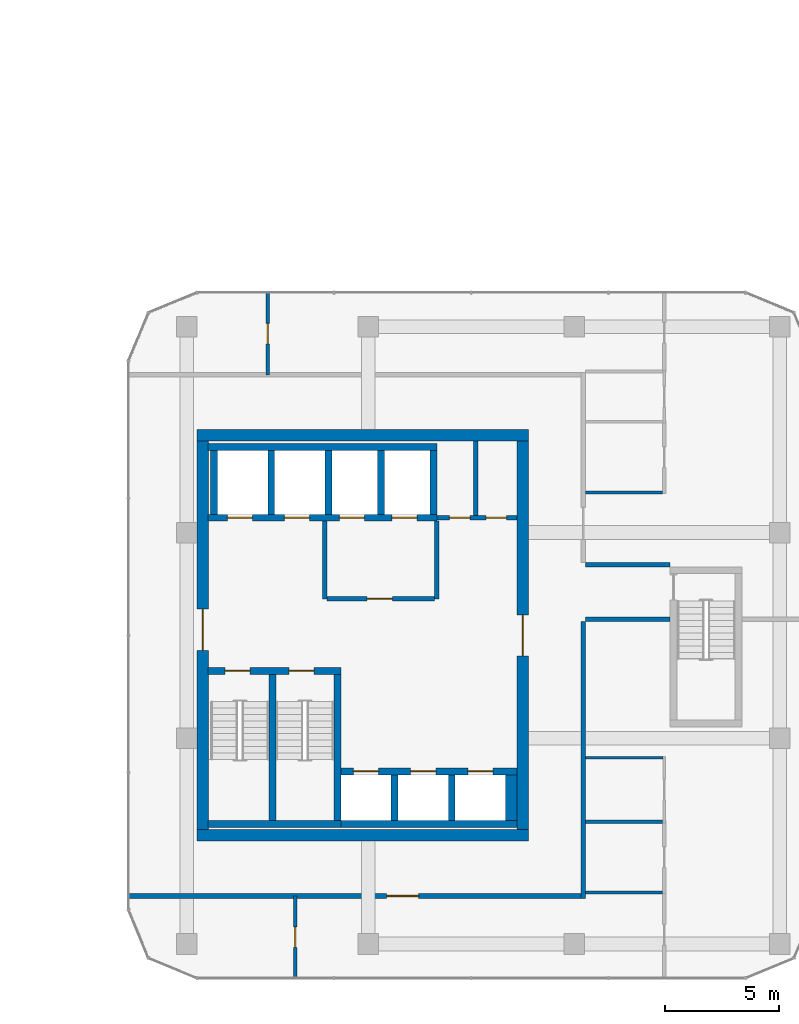
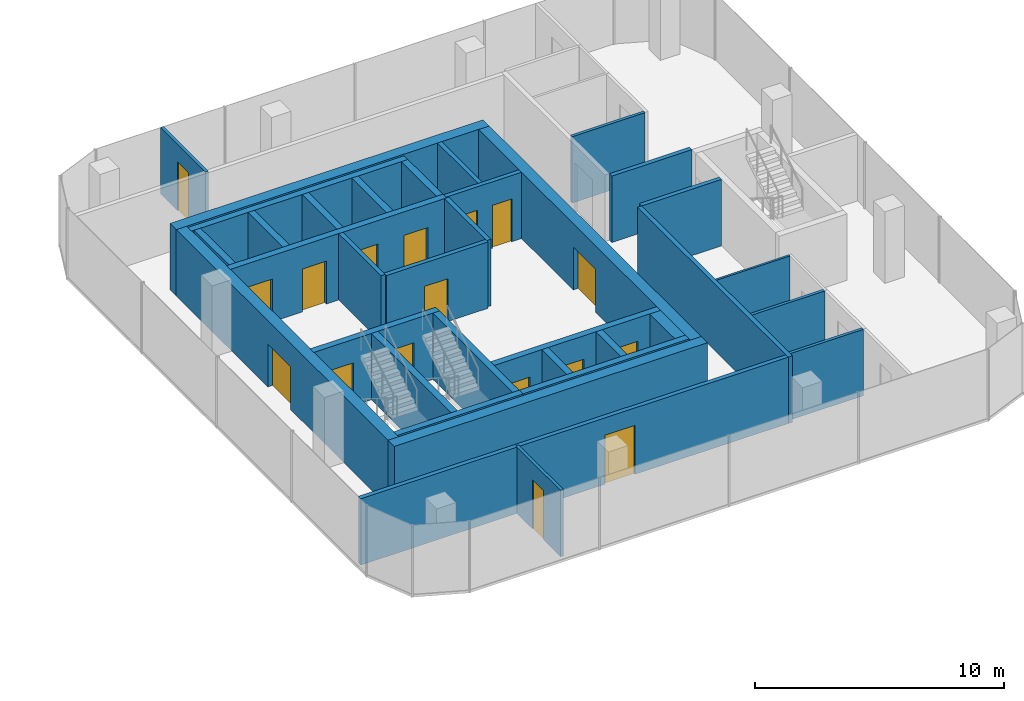
# One storey, part 17 of 22: 35 walls, 17 doors, 17 openings.
"""IFC4 building model written with IfcOpenShell, lengths in metres."""

from ifc_helpers import new_model, si_unit, direction, frame, frame_2d, origin, place, context, subcontext, project, spatial, rectangle, extrude, material, layer, layer_set, type_object, element, fill, save


model = new_model("IFC4")

# Units and contexts
model_context = context("Model", 3, precision=1e-05, world=origin(), true_north=direction((0.0, 1.0)))
body_context = subcontext(model_context, "Body", "Model", "MODEL_VIEW")
ifc_project = project(units=[si_unit("LENGTHUNIT", "METRE"), si_unit("AREAUNIT", "SQUARE_METRE"), si_unit("VOLUMEUNIT", "CUBIC_METRE"), si_unit("PLANEANGLEUNIT", "RADIAN"), si_unit("MASSUNIT", "GRAM", prefix="KILO")], contexts=[model_context])

# Site, building, storey
site_placement = place(None, origin())
site = spatial("IfcSite", under=ifc_project, at=site_placement, CompositionType="ELEMENT")
building_placement = place(site_placement, origin())
building = spatial("IfcBuilding", under=site, at=building_placement, Name="Plateau Cross Towers", CompositionType="ELEMENT")
storey_placement = place(building_placement, frame((0.0, 0.0, 54.800048828125)))
storey = spatial("IfcBuildingStorey", under=building, at=storey_placement, Name="L13", CompositionType="ELEMENT", Elevation=54.800048828125)

# Wall
ifc_material_1 = material(Name="Concrete block, plastered both sides", Category="concrete")
ifc_layer_1 = layer(ifc_material_1, 0.199951171875)
ifc_layer_set_1 = layer_set([ifc_layer_1], Name="Concrete block, plastered both sides")
wall_type_1 = type_object("IfcWallType", Name="Core partition 200", PredefinedType="PARTITIONING", material=ifc_layer_set_1)
wall_1_placement = place(storey_placement, frame((80.60009765625, 10.60009765625, 0.0), z_axis=(0.0, 0.0, 1.0), x_axis=(0.0, 1.0, 0.0)))
element("IfcWall", 1, at=wall_1_placement, inside=storey, type_object=wall_type_1, Name="Core partition", PredefinedType="PARTITIONING", context=body_context, shape_type="SweptSolid", body=[
    extrude(rectangle(XDim=3.39990234375, YDim=0.199951171875, at=frame_2d((1.699951171875, 0.0))), origin(), (0.0, 0.0, 1.0), 3.25),
])

# Wall, opening, door
wall_2_placement = place(storey_placement, frame((80.699951171875, 10.60009765625, 0.0), z_axis=(0.0, 0.0, 1.0), x_axis=(1.0, 0.0, 0.0)))
wall_2 = element("IfcWall", 2, at=wall_2_placement, inside=storey, type_object=wall_type_1, Name="Core partition", PredefinedType="PARTITIONING", context=body_context, shape_type="SweptSolid", body=[
    extrude(rectangle(XDim=4.699951171875, YDim=0.199951171875, at=frame_2d((2.35009765625, 0.0))), origin(), (0.0, 0.0, 1.0), 3.25),
])
opening_1_placement = place(wall_2_placement, frame((1.75, 0.0, 0.0)))
opening_1 = element("IfcOpeningElement", 3, at=opening_1_placement, cuts=wall_2, Name="Opening FFD", PredefinedType="OPENING", context=body_context, shape_type="SweptSolid", body=[
    extrude(rectangle(XDim=1.10009765625, YDim=2.10009765625, at=frame_2d((0.550048828125, 1.050048828125))), frame((0.0, 0.10986328125, 0.0), z_axis=(0.0, -1.0, 0.0), x_axis=(1.0, 0.0, 0.0)), (0.0, 0.0, 1.0), 0.219970703125),
])
ifc_material_2 = material(Name="Steel, fire-resisting leaf", Category="steel")
door_type_1 = type_object("IfcDoorType", Name="Firefighting lobby door 1100", OperationType="NOTDEFINED", PredefinedType="DOOR", material=ifc_material_2)
door_1_placement = place(opening_1_placement, origin())
door_1 = element("IfcDoor", 4, at=door_1_placement, inside=storey, type_object=door_type_1, Name="Firefighting lobby door FFD", OperationType="SINGLE_SWING_LEFT", OverallHeight=2.10009765625, OverallWidth=1.10009765625, PredefinedType="DOOR", context=body_context, shape_type="SweptSolid", body=[
    extrude(rectangle(XDim=1.10009765625, YDim=2.10009765625, at=frame_2d((0.550048828125, 1.050048828125))), frame((0.0, 0.02490234375, 0.0), z_axis=(0.0, -1.0, 0.0), x_axis=(1.0, 0.0, 0.0)), (0.0, 0.0, 1.0), 0.050048828125),
])
fill(opening_1, door_1)

# Wall
wall_3_placement = place(storey_placement, frame((85.5, 10.60009765625, 0.0), z_axis=(0.0, 0.0, 1.0), x_axis=(0.0, 1.0, 0.0)))
element("IfcWall", 5, at=wall_3_placement, inside=storey, type_object=wall_type_1, Name="Core partition", PredefinedType="PARTITIONING", context=body_context, shape_type="SweptSolid", body=[
    extrude(rectangle(XDim=3.39990234375, YDim=0.199951171875, at=frame_2d((1.699951171875, 0.0))), origin(), (0.0, 0.0, 1.0), 3.25),
])

# Wall, openings, doors
wall_4_placement = place(storey_placement, frame((85.5, 14.14990234375, 0.0), z_axis=(0.0, 0.0, 1.0), x_axis=(1.0, 0.0, 0.0)))
wall_4 = element("IfcWall", 6, at=wall_4_placement, inside=storey, type_object=wall_type_1, Name="Core partition", PredefinedType="PARTITIONING", context=body_context, shape_type="SweptSolid", body=[
    extrude(rectangle(XDim=3.5, YDim=0.199951171875, at=frame_2d((1.75, 0.0))), origin(), (0.0, 0.0, 1.0), 3.25),
])
opening_2_placement = place(wall_4_placement, frame((0.550048828125, 0.0, 0.0)))
opening_2 = element("IfcOpeningElement", 7, at=opening_2_placement, cuts=wall_4, Name="Opening RD2", PredefinedType="OPENING", context=body_context, shape_type="SweptSolid", body=[
    extrude(rectangle(XDim=0.89990234375, YDim=2.10009765625, at=frame_2d((0.449951171875, 1.050048828125))), frame((0.0, 0.10986328125, 0.0), z_axis=(0.0, -1.0, 0.0), x_axis=(1.0, 0.0, 0.0)), (0.0, 0.0, 1.0), 0.219970703125),
])
opening_3_placement = place(wall_4_placement, frame((2.14990234375, 0.0, 0.0)))
opening_3 = element("IfcOpeningElement", 8, at=opening_3_placement, cuts=wall_4, Name="Opening RD2", PredefinedType="OPENING", context=body_context, shape_type="SweptSolid", body=[
    extrude(rectangle(XDim=0.89990234375, YDim=2.10009765625, at=frame_2d((0.449951171875, 1.050048828125))), frame((0.0, 0.10986328125, 0.0), z_axis=(0.0, -1.0, 0.0), x_axis=(1.0, 0.0, 0.0)), (0.0, 0.0, 1.0), 0.219970703125),
])
door_type_2 = type_object("IfcDoorType", Name="Core riser door 900", OperationType="NOTDEFINED", PredefinedType="DOOR", material=ifc_material_2)
door_2_placement = place(opening_2_placement, origin())
door_2 = element("IfcDoor", 9, at=door_2_placement, inside=storey, type_object=door_type_2, Name="Core riser door RD2", OperationType="SINGLE_SWING_LEFT", OverallHeight=2.10009765625, OverallWidth=0.89990234375, PredefinedType="DOOR", context=body_context, shape_type="SweptSolid", body=[
    extrude(rectangle(XDim=0.89990234375, YDim=2.10009765625, at=frame_2d((0.449951171875, 1.050048828125))), frame((0.0, 0.02490234375, 0.0), z_axis=(0.0, -1.0, 0.0), x_axis=(1.0, 0.0, 0.0)), (0.0, 0.0, 1.0), 0.050048828125),
])
fill(opening_2, door_2)
door_3_placement = place(opening_3_placement, origin())
door_3 = element("IfcDoor", 10, at=door_3_placement, inside=storey, type_object=door_type_2, Name="Core riser door RD2", OperationType="SINGLE_SWING_LEFT", OverallHeight=2.10009765625, OverallWidth=0.89990234375, PredefinedType="DOOR", context=body_context, shape_type="SweptSolid", body=[
    extrude(rectangle(XDim=0.89990234375, YDim=2.10009765625, at=frame_2d((0.449951171875, 1.050048828125))), frame((0.0, 0.02490234375, 0.0), z_axis=(0.0, -1.0, 0.0), x_axis=(1.0, 0.0, 0.0)), (0.0, 0.0, 1.0), 0.050048828125),
])
fill(opening_3, door_3)

# Walls
wall_5_placement = place(storey_placement, frame((87.199951171875, 14.25, 0.0), z_axis=(0.0, 0.0, 1.0), x_axis=(0.0, 1.0, 0.0)))
element("IfcWall", 11, at=wall_5_placement, inside=storey, type_object=wall_type_1, Name="Core partition", PredefinedType="PARTITIONING", context=body_context, shape_type="SweptSolid", body=[
    extrude(rectangle(XDim=3.25, YDim=0.199951171875, at=frame_2d((1.625, 0.0))), origin(), (0.0, 0.0, 1.0), 3.25),
])
ifc_material_3 = material(Name="Concrete C60/75", Category="concrete")
ifc_layer_2 = layer(ifc_material_3, 0.300048828125)
ifc_layer_set_2 = layer_set([ifc_layer_2], Name="Concrete C60/75")
wall_type_2 = type_object("IfcWallType", Name="Core shaft wall 300", PredefinedType="SHEAR", material=ifc_layer_set_2)
wall_6_placement = place(storey_placement, frame((75.47998046875, 0.75, 0.0), z_axis=(0.0, 0.0, 1.0), x_axis=(1.0, 0.0, 0.0)))
element("IfcWall", 12, at=wall_6_placement, inside=storey, type_object=wall_type_2, Name="B-sb-stS@L13", PredefinedType="SHEAR", context=body_context, shape_type="SweptSolid", body=[
    extrude(rectangle(XDim=5.820068359375, YDim=0.300048828125, at=frame_2d((2.91015625, 0.0))), origin(), (0.0, 0.0, 1.0), 3.25),
])

# Wall, openings, doors
wall_7_placement = place(storey_placement, frame((75.47998046875, 7.449951171875, 0.0), z_axis=(0.0, 0.0, 1.0), x_axis=(1.0, 0.0, 0.0)))
wall_7 = element("IfcWall", 13, at=wall_7_placement, inside=storey, type_object=wall_type_2, Name="B-sb-stN@L13", PredefinedType="SHEAR", context=body_context, shape_type="SweptSolid", body=[
    extrude(rectangle(XDim=5.820068359375, YDim=0.300048828125, at=frame_2d((2.91015625, 0.0))), origin(), (0.0, 0.0, 1.0), 3.25),
])
opening_4_placement = place(wall_7_placement, frame((0.75, 0.0, 0.0)))
opening_4 = element("IfcOpeningElement", 14, at=opening_4_placement, cuts=wall_7, Name="Opening SD", PredefinedType="OPENING", context=body_context, shape_type="SweptSolid", body=[
    extrude(rectangle(XDim=1.10009765625, YDim=2.10009765625, at=frame_2d((0.550048828125, 1.050048828125))), frame((0.0, 0.159912109375, 0.0), z_axis=(0.0, -1.0, 0.0), x_axis=(1.0, 0.0, 0.0)), (0.0, 0.0, 1.0), 0.320068359375),
])
opening_5_placement = place(wall_7_placement, frame((3.550048828125, 0.0, 0.0)))
opening_5 = element("IfcOpeningElement", 15, at=opening_5_placement, cuts=wall_7, Name="Opening SD", PredefinedType="OPENING", context=body_context, shape_type="SweptSolid", body=[
    extrude(rectangle(XDim=1.10009765625, YDim=2.10009765625, at=frame_2d((0.550048828125, 1.050048828125))), frame((0.0, 0.159912109375, 0.0), z_axis=(0.0, -1.0, 0.0), x_axis=(1.0, 0.0, 0.0)), (0.0, 0.0, 1.0), 0.320068359375),
])
door_type_3 = type_object("IfcDoorType", Name="Stair door 1100", OperationType="NOTDEFINED", PredefinedType="DOOR", material=ifc_material_2)
door_4_placement = place(opening_4_placement, origin())
door_4 = element("IfcDoor", 16, at=door_4_placement, inside=storey, type_object=door_type_3, Name="Stair door SD", OperationType="SINGLE_SWING_RIGHT", OverallHeight=2.10009765625, OverallWidth=1.10009765625, PredefinedType="DOOR", context=body_context, shape_type="SweptSolid", body=[
    extrude(rectangle(XDim=1.10009765625, YDim=2.10009765625, at=frame_2d((0.550048828125, 1.050048828125))), frame((0.0, 0.02490234375, 0.0), z_axis=(0.0, -1.0, 0.0), x_axis=(1.0, 0.0, 0.0)), (0.0, 0.0, 1.0), 0.050048828125),
])
fill(opening_4, door_4)
door_5_placement = place(opening_5_placement, origin())
door_5 = element("IfcDoor", 17, at=door_5_placement, inside=storey, type_object=door_type_3, Name="Stair door SD", OperationType="SINGLE_SWING_LEFT", OverallHeight=2.10009765625, OverallWidth=1.10009765625, PredefinedType="DOOR", context=body_context, shape_type="SweptSolid", body=[
    extrude(rectangle(XDim=1.10009765625, YDim=2.10009765625, at=frame_2d((0.550048828125, 1.050048828125))), frame((0.0, 0.02490234375, 0.0), z_axis=(0.0, -1.0, 0.0), x_axis=(1.0, 0.0, 0.0)), (0.0, 0.0, 1.0), 0.050048828125),
])
fill(opening_5, door_5)

# Walls
for number, where, z_axis, x_axis, name in (
    (18, (78.300048828125, 0.89990234375, 0.0), (0.0, 0.0, 1.0), (0.0, 1.0, 0.0), "B-sb-st1@L13"),
    (19, (81.14990234375, 0.89990234375, 0.0), (0.0, 0.0, 1.0), (0.0, 1.0, 0.0), "B-sb-st2@L13"),
):
    element("IfcWall", number, at=place(storey_placement, frame(where, z_axis=z_axis, x_axis=x_axis)), inside=storey, type_object=wall_type_2, Name=name, PredefinedType="SHEAR", context=body_context, shape_type="SweptSolid", body=[
        extrude(rectangle(XDim=6.400146484375, YDim=0.300048828125, at=frame_2d((3.2001953125, 0.0))), origin(), (0.0, 0.0, 1.0), 3.25),
    ])
wall_8_placement = place(storey_placement, frame((81.300048828125, 0.75, 0.0), z_axis=(0.0, 0.0, 1.0), x_axis=(1.0, 0.0, 0.0)))
element("IfcWall", 20, at=wall_8_placement, inside=storey, type_object=wall_type_2, Name="B-sb-back@L13", PredefinedType="SHEAR", context=body_context, shape_type="SweptSolid", body=[
    extrude(rectangle(XDim=7.699951171875, YDim=0.300048828125, at=frame_2d((3.85009765625, 0.0))), origin(), (0.0, 0.0, 1.0), 3.25),
])
for number, where, z_axis, x_axis, name in (
    (21, (83.64990234375, 0.89990234375, 0.0), (0.0, 0.0, 1.0), (0.0, 1.0, 0.0), "B-sb-v1@L13"),
    (22, (86.14990234375, 0.89990234375, 0.0), (0.0, 0.0, 1.0), (0.0, 1.0, 0.0), "B-sb-v2@L13"),
):
    element("IfcWall", number, at=place(storey_placement, frame(where, z_axis=z_axis, x_axis=x_axis)), inside=storey, type_object=wall_type_2, Name=name, PredefinedType="SHEAR", context=body_context, shape_type="SweptSolid", body=[
        extrude(rectangle(XDim=2.0, YDim=0.300048828125, at=frame_2d((1.0, 0.0))), origin(), (0.0, 0.0, 1.0), 3.25),
    ])

# Wall, openings, doors
wall_9_placement = place(storey_placement, frame((81.300048828125, 3.050048828125, 0.0), z_axis=(0.0, 0.0, 1.0), x_axis=(1.0, 0.0, 0.0)))
wall_9 = element("IfcWall", 23, at=wall_9_placement, inside=storey, type_object=wall_type_2, Name="B-sb-front@L13", PredefinedType="SHEAR", context=body_context, shape_type="SweptSolid", body=[
    extrude(rectangle(XDim=7.699951171875, YDim=0.300048828125, at=frame_2d((3.85009765625, 0.0))), origin(), (0.0, 0.0, 1.0), 3.25),
])
opening_6_placement = place(wall_9_placement, frame((0.550048828125, 0.0, 0.0)))
opening_6 = element("IfcOpeningElement", 24, at=opening_6_placement, cuts=wall_9, Name="Opening LD", PredefinedType="OPENING", context=body_context, shape_type="SweptSolid", body=[
    extrude(rectangle(XDim=1.10009765625, YDim=2.10009765625, at=frame_2d((0.550048828125, 1.050048828125))), frame((0.0, 0.159912109375, 0.0), z_axis=(0.0, -1.0, 0.0), x_axis=(1.0, 0.0, 0.0)), (0.0, 0.0, 1.0), 0.320068359375),
])
opening_7_placement = place(wall_9_placement, frame((3.050048828125, 0.0, 0.0)))
opening_7 = element("IfcOpeningElement", 25, at=opening_7_placement, cuts=wall_9, Name="Opening LD", PredefinedType="OPENING", context=body_context, shape_type="SweptSolid", body=[
    extrude(rectangle(XDim=1.10009765625, YDim=2.10009765625, at=frame_2d((0.550048828125, 1.050048828125))), frame((0.0, 0.159912109375, 0.0), z_axis=(0.0, -1.0, 0.0), x_axis=(1.0, 0.0, 0.0)), (0.0, 0.0, 1.0), 0.320068359375),
])
opening_8_placement = place(wall_9_placement, frame((5.550048828125, 0.0, 0.0)))
opening_8 = element("IfcOpeningElement", 26, at=opening_8_placement, cuts=wall_9, Name="Opening LD", PredefinedType="OPENING", context=body_context, shape_type="SweptSolid", body=[
    extrude(rectangle(XDim=1.10009765625, YDim=2.10009765625, at=frame_2d((0.550048828125, 1.050048828125))), frame((0.0, 0.159912109375, 0.0), z_axis=(0.0, -1.0, 0.0), x_axis=(1.0, 0.0, 0.0)), (0.0, 0.0, 1.0), 0.320068359375),
])
ifc_material_4 = material(Name="Stainless steel, fire-resisting sliding leaves", Category="steel")
door_type_4 = type_object("IfcDoorType", Name="Lift landing door 1100", OperationType="NOTDEFINED", PredefinedType="DOOR", material=ifc_material_4)
door_6_placement = place(opening_6_placement, origin())
door_6 = element("IfcDoor", 27, at=door_6_placement, inside=storey, type_object=door_type_4, Name="Lift landing door LD", OperationType="DOUBLE_DOOR_SLIDING", OverallHeight=2.10009765625, OverallWidth=1.10009765625, PredefinedType="DOOR", context=body_context, shape_type="SweptSolid", body=[
    extrude(rectangle(XDim=1.10009765625, YDim=2.10009765625, at=frame_2d((0.550048828125, 1.050048828125))), frame((0.0, 0.02490234375, 0.0), z_axis=(0.0, -1.0, 0.0), x_axis=(1.0, 0.0, 0.0)), (0.0, 0.0, 1.0), 0.050048828125),
])
fill(opening_6, door_6)
door_7_placement = place(opening_7_placement, origin())
door_7 = element("IfcDoor", 28, at=door_7_placement, inside=storey, type_object=door_type_4, Name="Lift landing door LD", OperationType="DOUBLE_DOOR_SLIDING", OverallHeight=2.10009765625, OverallWidth=1.10009765625, PredefinedType="DOOR", context=body_context, shape_type="SweptSolid", body=[
    extrude(rectangle(XDim=1.10009765625, YDim=2.10009765625, at=frame_2d((0.550048828125, 1.050048828125))), frame((0.0, 0.02490234375, 0.0), z_axis=(0.0, -1.0, 0.0), x_axis=(1.0, 0.0, 0.0)), (0.0, 0.0, 1.0), 0.050048828125),
])
fill(opening_7, door_7)
door_8_placement = place(opening_8_placement, origin())
door_8 = element("IfcDoor", 29, at=door_8_placement, inside=storey, type_object=door_type_4, Name="Lift landing door LD", OperationType="DOUBLE_DOOR_SLIDING", OverallHeight=2.10009765625, OverallWidth=1.10009765625, PredefinedType="DOOR", context=body_context, shape_type="SweptSolid", body=[
    extrude(rectangle(XDim=1.10009765625, YDim=2.10009765625, at=frame_2d((0.550048828125, 1.050048828125))), frame((0.0, 0.02490234375, 0.0), z_axis=(0.0, -1.0, 0.0), x_axis=(1.0, 0.0, 0.0)), (0.0, 0.0, 1.0), 0.050048828125),
])
fill(opening_8, door_8)

# Wall
wall_10_placement = place(storey_placement, frame((75.47998046875, 17.25, 0.0), z_axis=(0.0, 0.0, 1.0), x_axis=(1.0, 0.0, 0.0)))
element("IfcWall", 30, at=wall_10_placement, inside=storey, type_object=wall_type_2, Name="B-nb-back@L13", PredefinedType="SHEAR", context=body_context, shape_type="SweptSolid", body=[
    extrude(rectangle(XDim=10.02001953125, YDim=0.300048828125, at=frame_2d((5.010009765625, 0.0))), origin(), (0.0, 0.0, 1.0), 3.25),
])

# Wall, openings, doors
wall_11_placement = place(storey_placement, frame((75.47998046875, 14.14990234375, 0.0), z_axis=(0.0, 0.0, 1.0), x_axis=(1.0, 0.0, 0.0)))
wall_11 = element("IfcWall", 31, at=wall_11_placement, inside=storey, type_object=wall_type_2, Name="B-nb-front@L13", PredefinedType="SHEAR", context=body_context, shape_type="SweptSolid", body=[
    extrude(rectangle(XDim=10.02001953125, YDim=0.300048828125, at=frame_2d((5.010009765625, 0.0))), origin(), (0.0, 0.0, 1.0), 3.25),
])
opening_9_placement = place(wall_11_placement, frame((0.85009765625, 0.0, 0.0)))
opening_9 = element("IfcOpeningElement", 32, at=opening_9_placement, cuts=wall_11, Name="Opening LD", PredefinedType="OPENING", context=body_context, shape_type="SweptSolid", body=[
    extrude(rectangle(XDim=1.10009765625, YDim=2.10009765625, at=frame_2d((0.550048828125, 1.050048828125))), frame((0.0, 0.159912109375, 0.0), z_axis=(0.0, -1.0, 0.0), x_axis=(1.0, 0.0, 0.0)), (0.0, 0.0, 1.0), 0.320068359375),
])
opening_10_placement = place(wall_11_placement, frame((3.35009765625, 0.0, 0.0)))
opening_10 = element("IfcOpeningElement", 33, at=opening_10_placement, cuts=wall_11, Name="Opening LD", PredefinedType="OPENING", context=body_context, shape_type="SweptSolid", body=[
    extrude(rectangle(XDim=1.10009765625, YDim=2.10009765625, at=frame_2d((0.550048828125, 1.050048828125))), frame((0.0, 0.159912109375, 0.0), z_axis=(0.0, -1.0, 0.0), x_axis=(1.0, 0.0, 0.0)), (0.0, 0.0, 1.0), 0.320068359375),
])
opening_11_placement = place(wall_11_placement, frame((5.75, 0.0, 0.0)))
opening_11 = element("IfcOpeningElement", 34, at=opening_11_placement, cuts=wall_11, Name="Opening LD", PredefinedType="OPENING", context=body_context, shape_type="SweptSolid", body=[
    extrude(rectangle(XDim=1.10009765625, YDim=2.10009765625, at=frame_2d((0.550048828125, 1.050048828125))), frame((0.0, 0.159912109375, 0.0), z_axis=(0.0, -1.0, 0.0), x_axis=(1.0, 0.0, 0.0)), (0.0, 0.0, 1.0), 0.320068359375),
])
opening_12_placement = place(wall_11_placement, frame((8.050048828125, 0.0, 0.0)))
opening_12 = element("IfcOpeningElement", 35, at=opening_12_placement, cuts=wall_11, Name="Opening LD", PredefinedType="OPENING", context=body_context, shape_type="SweptSolid", body=[
    extrude(rectangle(XDim=1.10009765625, YDim=2.10009765625, at=frame_2d((0.550048828125, 1.050048828125))), frame((0.0, 0.159912109375, 0.0), z_axis=(0.0, -1.0, 0.0), x_axis=(1.0, 0.0, 0.0)), (0.0, 0.0, 1.0), 0.320068359375),
])
door_9_placement = place(opening_9_placement, origin())
door_9 = element("IfcDoor", 36, at=door_9_placement, inside=storey, type_object=door_type_4, Name="Lift landing door LD", OperationType="DOUBLE_DOOR_SLIDING", OverallHeight=2.10009765625, OverallWidth=1.10009765625, PredefinedType="DOOR", context=body_context, shape_type="SweptSolid", body=[
    extrude(rectangle(XDim=1.10009765625, YDim=2.10009765625, at=frame_2d((0.550048828125, 1.050048828125))), frame((0.0, 0.02490234375, 0.0), z_axis=(0.0, -1.0, 0.0), x_axis=(1.0, 0.0, 0.0)), (0.0, 0.0, 1.0), 0.050048828125),
])
fill(opening_9, door_9)
door_10_placement = place(opening_10_placement, origin())
door_10 = element("IfcDoor", 37, at=door_10_placement, inside=storey, type_object=door_type_4, Name="Lift landing door LD", OperationType="DOUBLE_DOOR_SLIDING", OverallHeight=2.10009765625, OverallWidth=1.10009765625, PredefinedType="DOOR", context=body_context, shape_type="SweptSolid", body=[
    extrude(rectangle(XDim=1.10009765625, YDim=2.10009765625, at=frame_2d((0.550048828125, 1.050048828125))), frame((0.0, 0.02490234375, 0.0), z_axis=(0.0, -1.0, 0.0), x_axis=(1.0, 0.0, 0.0)), (0.0, 0.0, 1.0), 0.050048828125),
])
fill(opening_10, door_10)
door_11_placement = place(opening_11_placement, origin())
door_11 = element("IfcDoor", 38, at=door_11_placement, inside=storey, type_object=door_type_4, Name="Lift landing door LD", OperationType="DOUBLE_DOOR_SLIDING", OverallHeight=2.10009765625, OverallWidth=1.10009765625, PredefinedType="DOOR", context=body_context, shape_type="SweptSolid", body=[
    extrude(rectangle(XDim=1.10009765625, YDim=2.10009765625, at=frame_2d((0.550048828125, 1.050048828125))), frame((0.0, 0.02490234375, 0.0), z_axis=(0.0, -1.0, 0.0), x_axis=(1.0, 0.0, 0.0)), (0.0, 0.0, 1.0), 0.050048828125),
])
fill(opening_11, door_11)
door_12_placement = place(opening_12_placement, origin())
door_12 = element("IfcDoor", 39, at=door_12_placement, inside=storey, type_object=door_type_4, Name="Lift landing door LD", OperationType="DOUBLE_DOOR_SLIDING", OverallHeight=2.10009765625, OverallWidth=1.10009765625, PredefinedType="DOOR", context=body_context, shape_type="SweptSolid", body=[
    extrude(rectangle(XDim=1.10009765625, YDim=2.10009765625, at=frame_2d((0.550048828125, 1.050048828125))), frame((0.0, 0.02490234375, 0.0), z_axis=(0.0, -1.0, 0.0), x_axis=(1.0, 0.0, 0.0)), (0.0, 0.0, 1.0), 0.050048828125),
])
fill(opening_12, door_12)

# Walls
for number, where, z_axis, x_axis, name in (
    (40, (75.75, 14.300048828125, 0.0), (0.0, 0.0, 1.0), (0.0, 1.0, 0.0), "B-nb-v0@L13"),
    (41, (78.25, 14.300048828125, 0.0), (0.0, 0.0, 1.0), (0.0, 1.0, 0.0), "B-nb-v1@L13"),
    (42, (80.75, 14.300048828125, 0.0), (0.0, 0.0, 1.0), (0.0, 1.0, 0.0), "B-nb-v2@L13"),
    (43, (83.050048828125, 14.300048828125, 0.0), (0.0, 0.0, 1.0), (0.0, 1.0, 0.0), "B-nb-v3@L13"),
    (44, (85.35009765625, 14.300048828125, 0.0), (0.0, 0.0, 1.0), (0.0, 1.0, 0.0), "B-nb-v4@L13"),
):
    element("IfcWall", number, at=place(storey_placement, frame(where, z_axis=z_axis, x_axis=x_axis)), inside=storey, type_object=wall_type_2, Name=name, PredefinedType="SHEAR", context=body_context, shape_type="SweptSolid", body=[
        extrude(rectangle(XDim=2.800048828125, YDim=0.300048828125, at=frame_2d((1.39990234375, 0.0))), origin(), (0.0, 0.0, 1.0), 3.25),
    ])
ifc_layer_3 = layer(ifc_material_3, 0.5)
ifc_layer_set_3 = layer_set([ifc_layer_3], Name="Concrete C60/75")
wall_type_3 = type_object("IfcWallType", Name="Core shaft wall 500", PredefinedType="SHEAR", material=ifc_layer_set_3)
wall_12_placement = place(storey_placement, frame((88.75, 0.89990234375, 0.0), z_axis=(0.0, 0.0, 1.0), x_axis=(0.0, 1.0, 0.0)))
element("IfcWall", 45, at=wall_12_placement, inside=storey, type_object=wall_type_3, Name="B-sb-v3@L13", PredefinedType="SHEAR", context=body_context, shape_type="SweptSolid", body=[
    extrude(rectangle(XDim=2.0, YDim=0.5, at=frame_2d((1.0, 0.0))), origin(), (0.0, 0.0, 1.0), 3.25),
])
ifc_layer_4 = layer(ifc_material_3, 0.5)
ifc_layer_set_4 = layer_set([ifc_layer_4], Name="Concrete C60/75")
wall_type_4 = type_object("IfcWallType", Name="Core shell wall 500", PredefinedType="SHEAR", material=ifc_layer_set_4)
for number, where, z_axis, x_axis, name in (
    (46, (75.0, 0.25, 0.0), (0.0, 0.0, 1.0), (1.0, 0.0, 0.0), "B-core-S@L13"),
    (47, (75.0, 17.75, 0.0), (0.0, 0.0, 1.0), (1.0, 0.0, 0.0), "B-core-N@L13"),
):
    element("IfcWall", number, at=place(storey_placement, frame(where, z_axis=z_axis, x_axis=x_axis)), inside=storey, type_object=wall_type_4, Name=name, PredefinedType="SHEAR", context=body_context, shape_type="SweptSolid", body=[
        extrude(rectangle(XDim=14.5, YDim=0.5, at=frame_2d((7.25, 0.0))), origin(), (0.0, 0.0, 1.0), 3.25),
    ])

# Wall, opening, door
wall_13_placement = place(storey_placement, frame((75.25, 0.5, 0.0), z_axis=(0.0, 0.0, 1.0), x_axis=(0.0, 1.0, 0.0)))
wall_13 = element("IfcWall", 48, at=wall_13_placement, inside=storey, type_object=wall_type_4, Name="B-core-W@L13", PredefinedType="SHEAR", context=body_context, shape_type="SweptSolid", body=[
    extrude(rectangle(XDim=17.0, YDim=0.5, at=frame_2d((8.5, 0.0))), origin(), (0.0, 0.0, 1.0), 3.25),
])
opening_13_placement = place(wall_13_placement, frame((7.85009765625, 0.0, 0.0)))
opening_13 = element("IfcOpeningElement", 49, at=opening_13_placement, cuts=wall_13, Name="Opening CD", PredefinedType="OPENING", context=body_context, shape_type="SweptSolid", body=[
    extrude(rectangle(XDim=1.800048828125, YDim=2.10009765625, at=frame_2d((0.89990234375, 1.050048828125))), frame((0.0, 0.260009765625, 0.0), z_axis=(0.0, -1.0, 0.0), x_axis=(1.0, 0.0, 0.0)), (0.0, 0.0, 1.0), 0.52001953125),
])
ifc_material_5 = material(Name="Steel, fire-resisting leaves", Category="steel")
door_type_5 = type_object("IfcDoorType", Name="Corridor door pair 1800", OperationType="NOTDEFINED", PredefinedType="DOOR", material=ifc_material_5)
door_13_placement = place(opening_13_placement, origin())
door_13 = element("IfcDoor", 50, at=door_13_placement, inside=storey, type_object=door_type_5, Name="Corridor door pair CD", OperationType="DOUBLE_DOOR_SINGLE_SWING", OverallHeight=2.10009765625, OverallWidth=1.800048828125, PredefinedType="DOOR", context=body_context, shape_type="SweptSolid", body=[
    extrude(rectangle(XDim=1.800048828125, YDim=2.10009765625, at=frame_2d((0.89990234375, 1.050048828125))), frame((0.0, 0.02490234375, 0.0), z_axis=(0.0, -1.0, 0.0), x_axis=(1.0, 0.0, 0.0)), (0.0, 0.0, 1.0), 0.050048828125),
])
fill(opening_13, door_13)

wall_14_placement = place(storey_placement, frame((89.25, 0.5, 0.0), z_axis=(0.0, 0.0, 1.0), x_axis=(0.0, 1.0, 0.0)))
wall_14 = element("IfcWall", 51, at=wall_14_placement, inside=storey, type_object=wall_type_4, Name="B-core-E@L13", PredefinedType="SHEAR", context=body_context, shape_type="SweptSolid", body=[
    extrude(rectangle(XDim=17.0, YDim=0.5, at=frame_2d((8.5, 0.0))), origin(), (0.0, 0.0, 1.0), 3.25),
])
opening_14_placement = place(wall_14_placement, frame((7.60009765625, 0.0, 0.0)))
opening_14 = element("IfcOpeningElement", 52, at=opening_14_placement, cuts=wall_14, Name="Opening CD", PredefinedType="OPENING", context=body_context, shape_type="SweptSolid", body=[
    extrude(rectangle(XDim=1.800048828125, YDim=2.10009765625, at=frame_2d((0.89990234375, 1.050048828125))), frame((0.0, 0.260009765625, 0.0), z_axis=(0.0, -1.0, 0.0), x_axis=(1.0, 0.0, 0.0)), (0.0, 0.0, 1.0), 0.52001953125),
])
door_14_placement = place(opening_14_placement, origin())
door_14 = element("IfcDoor", 53, at=door_14_placement, inside=storey, type_object=door_type_5, Name="Corridor door pair CD", OperationType="DOUBLE_DOOR_SINGLE_SWING", OverallHeight=2.10009765625, OverallWidth=1.800048828125, PredefinedType="DOOR", context=body_context, shape_type="SweptSolid", body=[
    extrude(rectangle(XDim=1.800048828125, YDim=2.10009765625, at=frame_2d((0.89990234375, 1.050048828125))), frame((0.0, 0.02490234375, 0.0), z_axis=(0.0, -1.0, 0.0), x_axis=(1.0, 0.0, 0.0)), (0.0, 0.0, 1.0), 0.050048828125),
])
fill(opening_14, door_14)

ifc_material_6 = material(Name="Gypsum board on steel studs, two layers each side", Category="steel")
ifc_layer_5 = layer(ifc_material_6, 0.199951171875)
ifc_layer_set_5 = layer_set([ifc_layer_5], Name="Gypsum board on steel studs, two layers each side")
wall_type_5 = type_object("IfcWallType", Name="Corridor wall 200", PredefinedType="PARTITIONING", material=ifc_layer_set_5)
wall_15_placement = place(storey_placement, frame((72.0, -2.39990234375, 0.0), z_axis=(0.0, 0.0, 1.0), x_axis=(1.0, 0.0, 0.0)))
wall_15 = element("IfcWall", 54, at=wall_15_placement, inside=storey, type_object=wall_type_5, Name="Ring wall", PredefinedType="PARTITIONING", context=body_context, shape_type="SweptSolid", body=[
    extrude(rectangle(XDim=20.0, YDim=0.199951171875, at=frame_2d((10.0, 0.0))), origin(), (0.0, 0.0, 1.0), 3.25),
])
opening_15_placement = place(wall_15_placement, frame((11.300048828125, 0.0, 0.0)))
opening_15 = element("IfcOpeningElement", 55, at=opening_15_placement, cuts=wall_15, Name="Opening D-BE14", PredefinedType="OPENING", context=body_context, shape_type="SweptSolid", body=[
    extrude(rectangle(XDim=1.39990234375, YDim=2.39990234375, at=frame_2d((0.699951171875, 1.199951171875))), frame((0.0, 0.10986328125, 0.0), z_axis=(0.0, -1.0, 0.0), x_axis=(1.0, 0.0, 0.0)), (0.0, 0.0, 1.0), 0.219970703125),
])
ifc_material_7 = material(Name="Timber, fire-resisting leaves", Category="wood")
door_type_6 = type_object("IfcDoorType", Name="Tenant entrance double-leaf 1400x2400", OperationType="NOTDEFINED", PredefinedType="DOOR", material=ifc_material_7)
door_15_placement = place(opening_15_placement, origin())
door_15 = element("IfcDoor", 56, at=door_15_placement, inside=storey, type_object=door_type_6, Name="Door D-BE14", OperationType="DOUBLE_DOOR_SINGLE_SWING", OverallHeight=2.39990234375, OverallWidth=1.39990234375, PredefinedType="DOOR", context=body_context, shape_type="SweptSolid", body=[
    extrude(rectangle(XDim=1.39990234375, YDim=2.39990234375, at=frame_2d((0.699951171875, 1.199951171875))), frame((0.0, 0.02490234375, 0.0), z_axis=(0.0, -1.0, 0.0), x_axis=(1.0, 0.0, 0.0)), (0.0, 0.0, 1.0), 0.050048828125),
])
fill(opening_15, door_15)

# Walls
wall_16_placement = place(storey_placement, frame((91.89990234375, -2.5, 0.0), z_axis=(0.0, 0.0, 1.0), x_axis=(0.0, 1.0, 0.0)))
element("IfcWall", 57, at=wall_16_placement, inside=storey, type_object=wall_type_5, Name="Ring wall", PredefinedType="PARTITIONING", context=body_context, shape_type="SweptSolid", body=[
    extrude(rectangle(XDim=12.10009765625, YDim=0.199951171875, at=frame_2d((6.050048828125, 0.0))), origin(), (0.0, 0.0, 1.0), 3.25),
])
for number, where, z_axis, x_axis, name in (
    (58, (92.0, 9.699951171875, 0.0), (0.0, 0.0, 1.0), (1.0, 0.0, 0.0), "Ring wall"),
    (59, (92.0, 12.10009765625, 0.0), (0.0, 0.0, 1.0), (1.0, 0.0, 0.0), "Ring wall"),
):
    element("IfcWall", number, at=place(storey_placement, frame(where, z_axis=z_axis, x_axis=x_axis)), inside=storey, type_object=wall_type_5, Name=name, PredefinedType="PARTITIONING", context=body_context, shape_type="SweptSolid", body=[
        extrude(rectangle(XDim=3.699951171875, YDim=0.199951171875, at=frame_2d((1.85009765625, 0.0))), origin(), (0.0, 0.0, 1.0), 3.25),
    ])

# Wall, opening, door
ifc_material_8 = material(Name="Gypsum board on staggered steel studs, mineral wool, two layers each side", Category="steel")
ifc_layer_6 = layer(ifc_material_8, 0.139892578125)
ifc_layer_set_6 = layer_set([ifc_layer_6], Name="Gypsum board on staggered steel studs, mineral wool, two layers each side")
wall_type_6 = type_object("IfcWallType", Name="Meeting room acoustic partition 140", PredefinedType="PARTITIONING", material=ifc_layer_set_6)
wall_17_placement = place(storey_placement, frame((79.300048828125, -6.0, 0.0), z_axis=(0.0, 0.0, 1.0), x_axis=(0.0, 1.0, 0.0)))
wall_17 = element("IfcWall", 60, at=wall_17_placement, inside=storey, type_object=wall_type_6, Name="Acoustic wall", PredefinedType="PARTITIONING", context=body_context, shape_type="SweptSolid", body=[
    extrude(rectangle(XDim=3.60009765625, YDim=0.139892578125, at=frame_2d((1.800048828125, 0.0))), origin(), (0.0, 0.0, 1.0), 3.25),
])
opening_16_placement = place(wall_17_placement, frame((1.35009765625, 0.0, 0.0)))
opening_16 = element("IfcOpeningElement", 61, at=opening_16_placement, cuts=wall_17, Name="Opening D-BM9", PredefinedType="OPENING", context=body_context, shape_type="SweptSolid", body=[
    extrude(rectangle(XDim=0.89990234375, YDim=2.39990234375, at=frame_2d((0.449951171875, 1.199951171875))), frame((0.0, 0.079833984375, 0.0), z_axis=(0.0, -1.0, 0.0), x_axis=(1.0, 0.0, 0.0)), (0.0, 0.0, 1.0), 0.159912109375),
])
ifc_material_9 = material(Name="Timber leaf, full height", Category="wood")
door_type_7 = type_object("IfcDoorType", Name="Meeting room door 900x2400", OperationType="NOTDEFINED", PredefinedType="DOOR", material=ifc_material_9)
door_16_placement = place(opening_16_placement, origin())
door_16 = element("IfcDoor", 62, at=door_16_placement, inside=storey, type_object=door_type_7, Name="Door D-BM9", OperationType="SINGLE_SWING_LEFT", OverallHeight=2.39990234375, OverallWidth=0.89990234375, PredefinedType="DOOR", context=body_context, shape_type="SweptSolid", body=[
    extrude(rectangle(XDim=0.89990234375, YDim=2.39990234375, at=frame_2d((0.449951171875, 1.199951171875))), frame((0.0, 0.02490234375, 0.0), z_axis=(0.0, -1.0, 0.0), x_axis=(1.0, 0.0, 0.0)), (0.0, 0.0, 1.0), 0.050048828125),
])
fill(opening_16, door_16)

# Walls
for number, where, z_axis, x_axis, name in (
    (63, (92.0, -2.25, 0.0), (0.0, 0.0, 1.0), (1.0, 0.0, 0.0), "Acoustic wall"),
    (64, (92.0, 0.85009765625, 0.0), (0.0, 0.0, 1.0), (1.0, 0.0, 0.0), "Acoustic wall"),
    (65, (92.0, 15.25, 0.0), (0.0, 0.0, 1.0), (1.0, 0.0, 0.0), "Acoustic wall"),
):
    element("IfcWall", number, at=place(storey_placement, frame(where, z_axis=z_axis, x_axis=x_axis)), inside=storey, type_object=wall_type_6, Name=name, PredefinedType="PARTITIONING", context=body_context, shape_type="SweptSolid", body=[
        extrude(rectangle(XDim=3.3798828125, YDim=0.139892578125, at=frame_2d((1.68994140625, 0.0))), origin(), (0.0, 0.0, 1.0), 3.25),
    ])

# Wall, opening, door
wall_18_placement = place(storey_placement, frame((78.10009765625, 20.39990234375, 0.0), z_axis=(0.0, 0.0, 1.0), x_axis=(0.0, 1.0, 0.0)))
wall_18 = element("IfcWall", 66, at=wall_18_placement, inside=storey, type_object=wall_type_6, Name="Acoustic wall", PredefinedType="PARTITIONING", context=body_context, shape_type="SweptSolid", body=[
    extrude(rectangle(XDim=3.60009765625, YDim=0.139892578125, at=frame_2d((1.800048828125, 0.0))), origin(), (0.0, 0.0, 1.0), 3.25),
])
opening_17_placement = place(wall_18_placement, frame((1.35009765625, 0.0, 0.0)))
opening_17 = element("IfcOpeningElement", 67, at=opening_17_placement, cuts=wall_18, Name="Opening D-BM9", PredefinedType="OPENING", context=body_context, shape_type="SweptSolid", body=[
    extrude(rectangle(XDim=0.89990234375, YDim=2.39990234375, at=frame_2d((0.449951171875, 1.199951171875))), frame((0.0, 0.079833984375, 0.0), z_axis=(0.0, -1.0, 0.0), x_axis=(1.0, 0.0, 0.0)), (0.0, 0.0, 1.0), 0.159912109375),
])
door_17_placement = place(opening_17_placement, origin())
door_17 = element("IfcDoor", 68, at=door_17_placement, inside=storey, type_object=door_type_7, Name="Door D-BM9", OperationType="SINGLE_SWING_LEFT", OverallHeight=2.39990234375, OverallWidth=0.89990234375, PredefinedType="DOOR", context=body_context, shape_type="SweptSolid", body=[
    extrude(rectangle(XDim=0.89990234375, YDim=2.39990234375, at=frame_2d((0.449951171875, 1.199951171875))), frame((0.0, 0.02490234375, 0.0), z_axis=(0.0, -1.0, 0.0), x_axis=(1.0, 0.0, 0.0)), (0.0, 0.0, 1.0), 0.050048828125),
])
fill(opening_17, door_17)

# Wall
ifc_material_10 = material(Name="Gypsum board on steel studs", Category="steel")
ifc_layer_7 = layer(ifc_material_10, 0.10009765625)
ifc_layer_set_7 = layer_set([ifc_layer_7], Name="Gypsum board on steel studs")
wall_type_7 = type_object("IfcWallType", Name="Office partition 100", PredefinedType="PARTITIONING", material=ifc_layer_set_7)
wall_19_placement = place(storey_placement, frame((92.0, 3.64990234375, 0.0), z_axis=(0.0, 0.0, 1.0), x_axis=(1.0, 0.0, 0.0)))
element("IfcWall", 69, at=wall_19_placement, inside=storey, type_object=wall_type_7, Name="Part wall", PredefinedType="PARTITIONING", context=body_context, shape_type="SweptSolid", body=[
    extrude(rectangle(XDim=3.39990234375, YDim=0.10009765625, at=frame_2d((1.699951171875, 0.0))), origin(), (0.0, 0.0, 1.0), 3.25),
])

save(model, "model.ifc")
